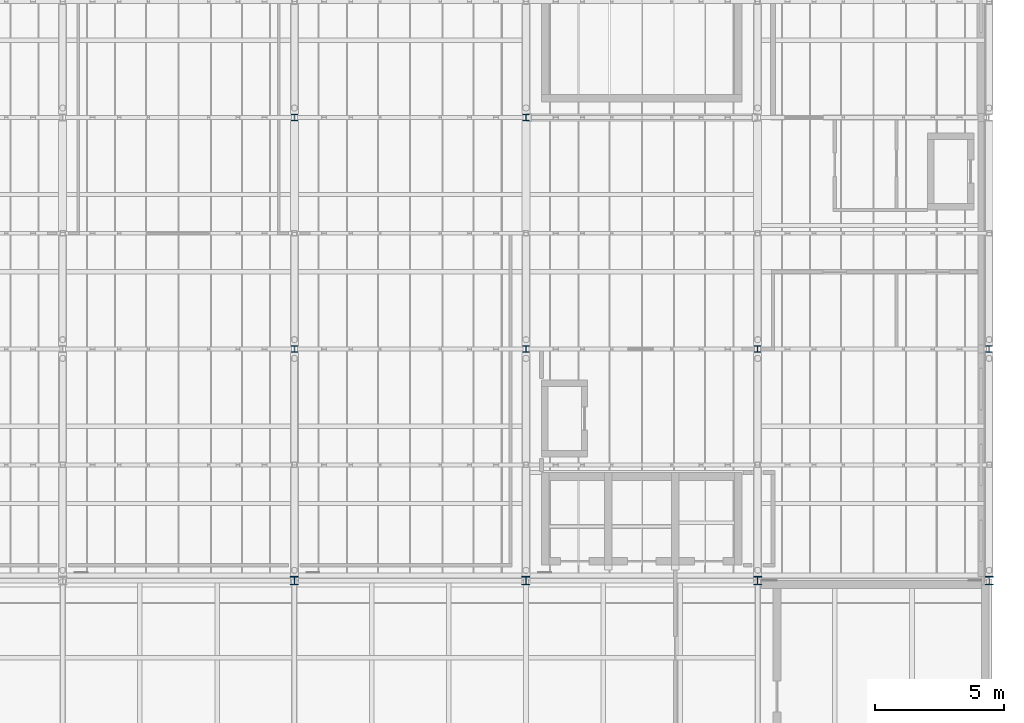
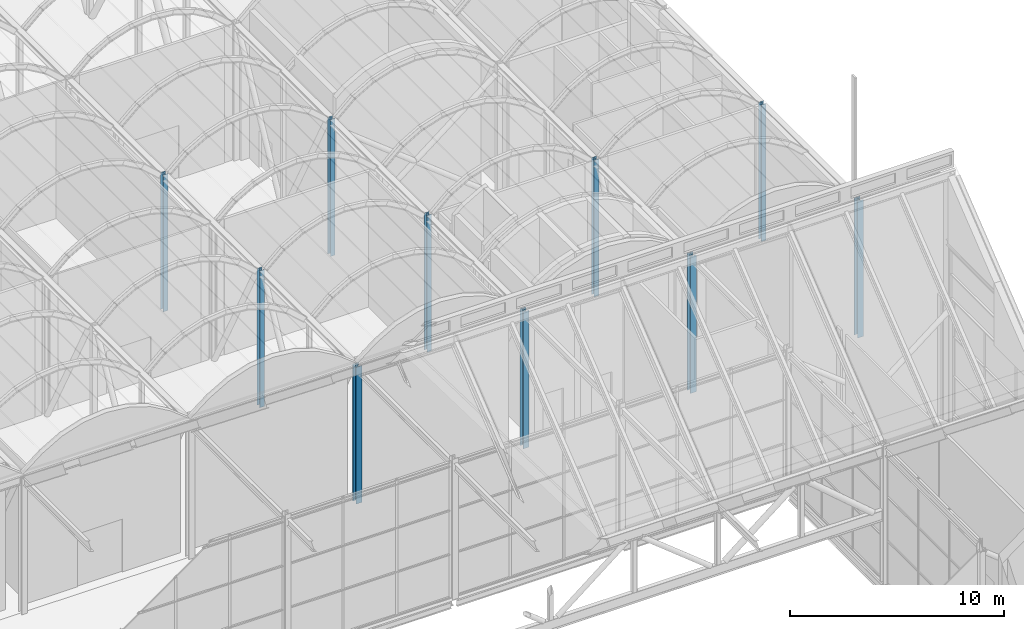
# One storey, part 7 of 144: 10 columns.
"""IFC4 building model written with IfcOpenShell, lengths in metres."""

import ifcopenshell
import ifcopenshell.guid

model = None  # the IFC model being written
_history = None  # IfcOwnerHistory: only IFC2X3 demands one
_inside = {}  # id of a spatial element -> (the spatial element, [elements in it])
_under = {}  # id of a project, library or spatial element -> (it, [spatial elements below it])
_declared = {}  # id of a project -> (the project, [libraries it declares])
_typed = {}  # id of a type object -> (the type object, [elements of that type])
_made_of = {}  # id of a material, layer set ... -> (it, [elements and type objects made of it])


def new_model(schema):
    """Start an empty IFC model of exactly this schema.

    Asked for "IFC4X3", IfcOpenShell would pick the latest addendum, in which some entities
    have other attributes; the version numbers below select the first issue.
    IFC2X3 requires an IfcOwnerHistory on every rooted entity: one is made here for all.
    """
    global model, _history
    if schema == "IFC4X3":
        model = ifcopenshell.file(schema_version=(4, 3, 0, 0))
    else:
        model = ifcopenshell.file(schema=schema)
    _inside.clear()
    _under.clear()
    _declared.clear()
    _typed.clear()
    _made_of.clear()
    _history = None
    if model.schema == "IFC2X3":
        org = make("IfcOrganization", Name="unknown")
        user = make(
            "IfcPersonAndOrganization",
            ThePerson=make("IfcPerson", FamilyName="unknown"),
            TheOrganization=org,
        )
        app = make(
            "IfcApplication",
            ApplicationDeveloper=org,
            Version="unknown",
            ApplicationFullName="unknown",
            ApplicationIdentifier="unknown",
        )
        _history = make(
            "IfcOwnerHistory",
            OwningUser=user,
            OwningApplication=app,
            ChangeAction="ADDED",
            CreationDate=0,
        )
    return model


def make(cls, **values):
    """One entity of the class cls with the attributes given. An attribute that is None is left unset."""
    return model.create_entity(
        cls, **{name: value for name, value in values.items() if value is not None}
    )


def rooted(cls, **values):
    """An entity with a GlobalId (a new one), such as an element, a storey or a relation."""
    return make(cls, GlobalId=ifcopenshell.guid.new(), OwnerHistory=_history, **values)


def si_unit(unit_type, name, prefix=None):
    """IfcSIUnit, for example si_unit("LENGTHUNIT", "METRE", prefix="MILLI")."""
    return make("IfcSIUnit", UnitType=unit_type, Prefix=prefix, Name=name)


def assignment(units):
    """IfcUnitAssignment: the units of a project."""
    return None if units is None else make("IfcUnitAssignment", Units=units)


def point(xyz):
    """IfcCartesianPoint."""
    return None if xyz is None else make("IfcCartesianPoint", Coordinates=xyz)


def direction(xyz):
    """IfcDirection."""
    return None if xyz is None else make("IfcDirection", DirectionRatios=xyz)


def frame(location, z_axis=None, x_axis=None):
    """IfcAxis2Placement3D, a coordinate frame: its origin and axes. An axis left out is left unset."""
    return make(
        "IfcAxis2Placement3D",
        Location=point(location),
        Axis=direction(z_axis),
        RefDirection=direction(x_axis),
    )


def frame_2d(location, x_axis=None):
    """IfcAxis2Placement2D, a coordinate frame in the plane: its origin and x axis."""
    return make(
        "IfcAxis2Placement2D", Location=point(location), RefDirection=direction(x_axis)
    )


def origin():
    """The frame at (0, 0, 0) with its axes left unset."""
    return frame((0.0, 0.0, 0.0))


def origin_2d():
    """The frame at (0, 0) in the plane with its x axis left unset."""
    return frame_2d((0.0, 0.0))


def place(relative_to, where):
    """IfcLocalPlacement: puts the frame where relative to a parent placement (None: the world)."""
    return make(
        "IfcLocalPlacement", PlacementRelTo=relative_to, RelativePlacement=where
    )


def context(
    kind, dimensions, precision=None, world=None, true_north=None, identifier=None
):
    """IfcGeometricRepresentationContext, for example the 3D "Model" context."""
    return make(
        "IfcGeometricRepresentationContext",
        ContextIdentifier=identifier,
        ContextType=kind,
        CoordinateSpaceDimension=dimensions,
        Precision=precision,
        WorldCoordinateSystem=world,
        TrueNorth=true_north,
    )


def subcontext(parent, identifier, kind, view, scale=None):
    """IfcGeometricRepresentationSubContext, for example "Body" below "Model"."""
    return make(
        "IfcGeometricRepresentationSubContext",
        ContextIdentifier=identifier,
        ContextType=kind,
        ParentContext=parent,
        TargetScale=scale,
        TargetView=view,
    )


def project(units=None, contexts=None):
    """IfcProject with its units and contexts."""
    return rooted(
        "IfcProject",
        Name="project",
        RepresentationContexts=contexts,
        UnitsInContext=assignment(units),
    )


def spatial(cls, under=None, at=None, **own):
    """A site, building, storey or space (cls), placed at a placement, below another one or the project."""
    s = rooted(cls, ObjectPlacement=at, **own)
    if under is not None:
        _under.setdefault(under.id(), (under, []))[1].append(s)
    return s


def profile(cls, at=None, kind="AREA", **sizes):
    """A parametric profile (cls). Its sizes go by their IFC names, for example OverallWidth=200.0."""
    return make(cls, ProfileType=kind, Position=at, **sizes)


def i_section(**sizes):
    """IfcIShapeProfileDef."""
    return profile("IfcIShapeProfileDef", **sizes)


def extrude(swept, where, along, depth):
    """IfcExtrudedAreaSolid: the profile swept, set in the frame where, extruded along a direction by depth."""
    return make(
        "IfcExtrudedAreaSolid",
        SweptArea=swept,
        Position=where,
        ExtrudedDirection=direction(along),
        Depth=depth,
    )


def shape(context_of_items, identifier, shape_type, items):
    """IfcShapeRepresentation: the items that make up one representation, for example the "Body"."""
    return make(
        "IfcShapeRepresentation",
        ContextOfItems=context_of_items,
        RepresentationIdentifier=identifier,
        RepresentationType=shape_type,
        Items=items,
    )


def material(Name=None, Category=None):
    """IfcMaterial."""
    return make("IfcMaterial", Name=Name, Category=Category)


def material_profile(
    of_material, cross_section, Name=None, Category=None, Priority=None
):
    """IfcMaterialProfile: a cross section and its material."""
    return make(
        "IfcMaterialProfile",
        Name=Name,
        Material=of_material,
        Profile=cross_section,
        Priority=Priority,
        Category=Category,
    )


def profile_set(profiles, Name=None, composite=None):
    """IfcMaterialProfileSet."""
    return make(
        "IfcMaterialProfileSet",
        Name=Name,
        MaterialProfiles=profiles,
        CompositeProfile=composite,
    )


def made_of(thing, what):
    """Note that an element or type object is made of a material, layer set ...; save() writes the relation."""
    if what is not None:
        _made_of.setdefault(what.id(), (what, []))[1].append(thing)
    return thing


def type_object(cls, material=None, **own):
    """A type object (cls), such as IfcWallType, which elements share."""
    return made_of(rooted(cls, **own), material)


def element(
    cls,
    number,
    at=None,
    inside=None,
    cuts=None,
    type_object=None,
    material=None,
    context=None,
    identifier="Body",
    shape_type=None,
    held_by="IfcProductDefinitionShape",
    body=None,
    shapes=None,
    **own,
):
    """One element of the class cls, such as IfcWall. Its Tag is "e" and its number.

    at: its placement. inside: the storey or other place that contains it. cuts: it is an
    opening in that element (IfcRelVoidsElement). A single representation is given by context,
    identifier, shape_type and body (its items); several are given by shapes. held_by: the class
    of the entity that holds the representations. save() writes the other relations.
    """
    e = rooted(cls, Tag="e%d" % number, ObjectPlacement=at, **own)
    if body is not None:
        shapes = [shape(context, identifier, shape_type, body)]
    if shapes is not None:
        e.Representation = make(held_by, Representations=shapes)
    if inside is not None:
        _inside.setdefault(inside.id(), (inside, []))[1].append(e)
    if cuts is not None:
        rooted(
            "IfcRelVoidsElement", RelatingBuildingElement=cuts, RelatedOpeningElement=e
        )
    if type_object is not None:
        _typed.setdefault(type_object.id(), (type_object, []))[1].append(e)
    return made_of(e, material)


def aggregate(whole, parts):
    """IfcRelAggregates: a whole, such as a stair, and the parts it consists of."""
    return rooted("IfcRelAggregates", RelatingObject=whole, RelatedObjects=parts)


def save(model, path):
    """Write the relations noted so far, then the file.

    IfcRelAggregates (storeys below a building ...), IfcRelContainedInSpatialStructure (elements
    in a storey), IfcRelDefinesByType, IfcRelAssociatesMaterial and IfcRelDeclares: one each for
    every whole, place, type object, material and project.
    """
    for whole, parts in _under.values():
        aggregate(whole, parts)
    for where, things in _inside.values():
        rooted(
            "IfcRelContainedInSpatialStructure",
            RelatedElements=things,
            RelatingStructure=where,
        )
    for kind, things in _typed.values():
        rooted("IfcRelDefinesByType", RelatedObjects=things, RelatingType=kind)
    for what, things in _made_of.values():
        rooted("IfcRelAssociatesMaterial", RelatedObjects=things, RelatingMaterial=what)
    for by, libraries in _declared.values():
        rooted("IfcRelDeclares", RelatingContext=by, RelatedDefinitions=libraries)
    model.write(path)


model = new_model("IFC4")

# Units and contexts
model_context = context("Model", 3, precision=1e-05, world=origin(), true_north=direction((0.0, 1.0)))
body_context = subcontext(model_context, "Body", "Model", "MODEL_VIEW")
ifc_project = project(units=[si_unit("LENGTHUNIT", "METRE"), si_unit("AREAUNIT", "SQUARE_METRE"), si_unit("VOLUMEUNIT", "CUBIC_METRE"), si_unit("PLANEANGLEUNIT", "RADIAN"), si_unit("MASSUNIT", "GRAM", prefix="KILO")], contexts=[model_context])

# Site, building, storey
site_placement = place(None, origin())
site = spatial("IfcSite", under=ifc_project, at=site_placement, CompositionType="ELEMENT")
building_placement = place(site_placement, origin())
building = spatial("IfcBuilding", under=site, at=building_placement, Name="Shorebreak Coast Museum", CompositionType="ELEMENT")
storey_placement = place(building_placement, frame((0.0, 0.0, 36.0)))
storey = spatial("IfcBuildingStorey", under=building, at=storey_placement, Name="L06", CompositionType="ELEMENT", Elevation=36.0)

# Columns
ifc_material_1 = material(Name="Steel Grade 300", Category="steel")
ifc_material_profile_1 = material_profile(ifc_material_1, i_section(OverallWidth=0.25390625, OverallDepth=0.25390625, WebThickness=0.008544921875, FlangeThickness=0.01416015625, FilletRadius=0.013916015625, at=origin_2d()), Name="250UC72.9")
ifc_profile_set_1 = profile_set([ifc_material_profile_1], Name="Steel Grade 300")
column_type_1 = type_object("IfcColumnType", Name="Column 250UC72.9", PredefinedType="COLUMN", material=ifc_profile_set_1)
for number, where, z_axis, x_axis, name in (
    (1, (90.0, 99.0, 0.0), (0.0, 0.0, 1.0), (1.0, 0.0, 0.0), "Column L06 11M"),
    (2, (99.0, 99.0, 0.0), (0.0, 0.0, 1.0), (1.0, 0.0, 0.0), "Column L06 12M"),
    (3, (108.0, 99.0, 0.0), (0.0, 0.0, 1.0), (1.0, 0.0, 0.0), "Column L06 13M"),
    (4, (117.0, 99.0, 0.0), (0.0, 0.0, 1.0), (1.0, 0.0, 0.0), "Column L06 14M"),
    (5, (90.0, 108.0, 0.0), (0.0, 0.0, 1.0), (1.0, 0.0, 0.0), "Column L06 11N"),
    (6, (99.0, 108.0, 0.0), (0.0, 0.0, 1.0), (1.0, 0.0, 0.0), "Column L06 12N"),
):
    element("IfcColumn", number, at=place(storey_placement, frame(where, z_axis=z_axis, x_axis=x_axis)), inside=storey, type_object=column_type_1, Name=name, PredefinedType="COLUMN", context=body_context, shape_type="SweptSolid", body=[
        extrude(i_section(OverallWidth=0.25390625, OverallDepth=0.25390625, WebThickness=0.008544921875, FlangeThickness=0.01416015625, FilletRadius=0.013916015625, at=origin_2d()), origin(), (0.0, 0.0, 1.0), 7.784912109375),
    ])
ifc_material_2 = material(Name="Steel Grade 300", Category="steel")
ifc_material_profile_2 = material_profile(ifc_material_2, i_section(OverallWidth=0.31103515625, OverallDepth=0.3271484375, WebThickness=0.015625, FlangeThickness=0.02490234375, FilletRadius=0.0166015625, at=origin_2d()), Name="310UC158")
ifc_profile_set_2 = profile_set([ifc_material_profile_2], Name="Steel Grade 300")
column_type_2 = type_object("IfcColumnType", Name="Column 310UC158", PredefinedType="COLUMN", material=ifc_profile_set_2)
for number, where, z_axis, x_axis, name in (
    (7, (90.0, 90.0, 0.0), (0.0, 0.0, 1.0), (1.0, 0.0, 0.0), "Column L06 11L"),
    (8, (99.0, 90.0, 0.0), (0.0, 0.0, 1.0), (1.0, 0.0, 0.0), "Column L06 12L"),
    (9, (108.0, 90.0, 0.0), (0.0, 0.0, 1.0), (1.0, 0.0, 0.0), "Column L06 13L"),
    (10, (117.0, 90.0, 0.0), (0.0, 0.0, 1.0), (1.0, 0.0, 0.0), "Column L06 14L"),
):
    element("IfcColumn", number, at=place(storey_placement, frame(where, z_axis=z_axis, x_axis=x_axis)), inside=storey, type_object=column_type_2, Name=name, PredefinedType="COLUMN", context=body_context, shape_type="SweptSolid", body=[
        extrude(i_section(OverallWidth=0.31103515625, OverallDepth=0.3271484375, WebThickness=0.015625, FlangeThickness=0.02490234375, FilletRadius=0.0166015625, at=origin_2d()), origin(), (0.0, 0.0, 1.0), 7.784912109375),
    ])

save(model, "model.ifc")
